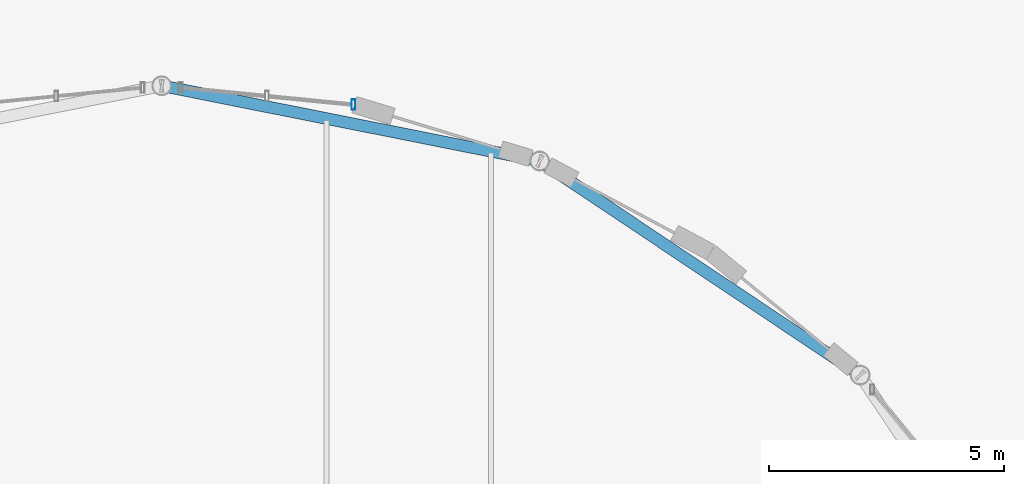
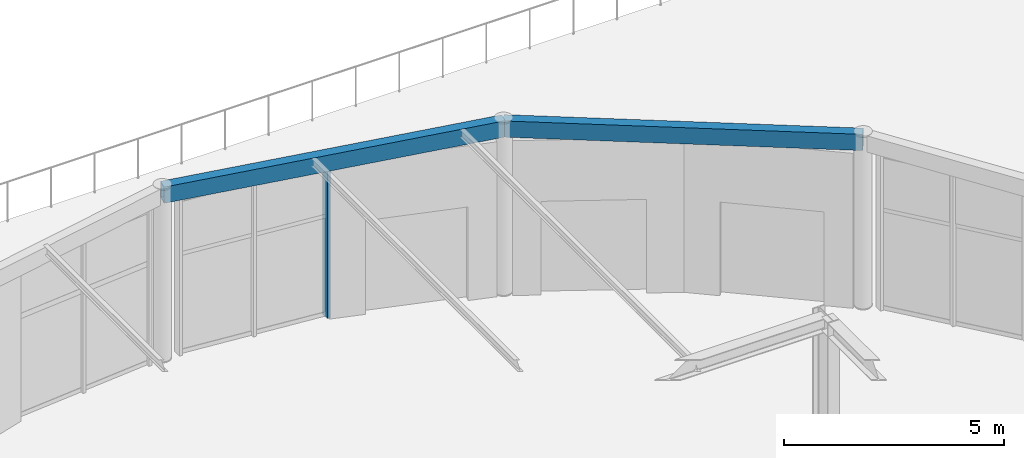
# One storey, part 70 of 143: 2 beams, 1 member, 1 element without a shape of its own.
"""IFC4 building model written with IfcOpenShell, lengths in metres."""

from ifc_helpers import new_model, si_unit, direction, frame, origin, origin_2d, place, context, subcontext, project, spatial, hollow_rectangle, extrude, material, layer, layer_set, material_profile, profile_set, type_object, element, aggregate, save


model = new_model("IFC4")

# Units and contexts
model_context = context("Model", 3, precision=1e-05, world=origin(), true_north=direction((0.0, 1.0)))
body_context = subcontext(model_context, "Body", "Model", "MODEL_VIEW")
ifc_project = project(units=[si_unit("LENGTHUNIT", "METRE"), si_unit("AREAUNIT", "SQUARE_METRE"), si_unit("VOLUMEUNIT", "CUBIC_METRE"), si_unit("PLANEANGLEUNIT", "RADIAN"), si_unit("MASSUNIT", "GRAM", prefix="KILO")], contexts=[model_context])

# Site, building, storey
site_placement = place(None, origin())
site = spatial("IfcSite", under=ifc_project, at=site_placement, CompositionType="ELEMENT")
building_placement = place(site_placement, origin())
building = spatial("IfcBuilding", under=site, at=building_placement, Name="Marlcrest Central Station", CompositionType="ELEMENT")
storey_placement = place(building_placement, frame((0.0, 0.0, 4.800048828125)))
storey = spatial("IfcBuildingStorey", under=building, at=storey_placement, Name="L01", CompositionType="ELEMENT", Elevation=4.800048828125)

# Curtain wall, member
ifc_material_1 = material(Name="Anodised aluminium and hurricane laminated glass", Category="aluminium")
ifc_layer = layer(ifc_material_1, 0.219970703125, Name="CW-U1")
ifc_layer_set = layer_set([ifc_layer], Name="Anodised aluminium and hurricane laminated glass")
curtain_wall_type = type_object("IfcCurtainWallType", Name="CW-U1", PredefinedType="USERDEFINED", material=ifc_layer_set)
curtain_wall_placement = place(storey_placement, origin())
curtain_wall = element("IfcCurtainWall", 1, at=curtain_wall_placement, inside=storey, type_object=curtain_wall_type, Name="cw-L01-0062", ObjectType="UNITISED_CURTAIN_WALL", PredefinedType="USERDEFINED")
ifc_material_2 = material(Name="Anodised aluminium 6063-T6", Category="aluminium")
ifc_material_profile_1 = material_profile(ifc_material_2, hollow_rectangle(XDim=0.080078125, YDim=0.219970703125, WallThickness=0.006103515625, at=origin_2d()), Name="AA-RHS 220x80x6")
ifc_profile_set_1 = profile_set([ifc_material_profile_1], Name="Anodised aluminium 6063-T6")
member_type = type_object("IfcMemberType", Name="ML-01", PredefinedType="MULLION", material=ifc_profile_set_1)
member_placement = place(storey_placement, frame((112.076416015625, 131.097900390625, -0.030029296875), z_axis=(0.0, 0.0, 1.0), x_axis=(1.0, 0.0, 0.0)))
member = element("IfcMember", 2, at=member_placement, type_object=member_type, Name="cw-L01-0062-ml-2", PredefinedType="MULLION", context=body_context, shape_type="SweptSolid", body=[
    extrude(hollow_rectangle(XDim=0.080078125, YDim=0.219970703125, WallThickness=0.006103515625, at=origin_2d()), origin(), (0.0, 0.0, 1.0), 4.35986328125),
])
aggregate(curtain_wall, [member])

# Beams
ifc_material_3 = material(Name="Steel S355", Category="steel")
ifc_material_profile_2 = material_profile(ifc_material_3, hollow_rectangle(XDim=0.25, YDim=0.449951171875, WallThickness=0.01611328125, at=origin_2d()), Name="RHS 450x250x16")
ifc_profile_set_2 = profile_set([ifc_material_profile_2], Name="Steel S355")
beam_type = type_object("IfcBeamType", Name="SP-02", PredefinedType="SPANDREL", material=ifc_profile_set_2)
beam_1_placement = place(storey_placement, frame((108.0, 131.5, 4.58984375), z_axis=(0.980769316421, -0.19517056122, 0.0), x_axis=(0.19517056122, 0.980769316421, 0.0)))
element("IfcBeam", 3, at=beam_1_placement, inside=storey, type_object=beam_type, Name="bm-SP-02-L01-01462", PredefinedType="SPANDREL", context=body_context, shape_type="SweptSolid", body=[
    extrude(hollow_rectangle(XDim=0.25, YDim=0.449951171875, WallThickness=0.01611328125, at=origin_2d()), origin(), (0.0, 0.0, 1.0), 8.193359375),
])
beam_2_placement = place(storey_placement, frame((116.035888671875, 129.90087890625, 4.58984375), z_axis=(0.831508991937, -0.55551129271, 0.0), x_axis=(0.55551129271, 0.831508991937, 0.0)))
element("IfcBeam", 4, at=beam_2_placement, inside=storey, type_object=beam_type, Name="bm-SP-02-L01-01463", PredefinedType="SPANDREL", context=body_context, shape_type="SweptSolid", body=[
    extrude(hollow_rectangle(XDim=0.25, YDim=0.449951171875, WallThickness=0.01611328125, at=origin_2d()), origin(), (0.0, 0.0, 1.0), 8.19384765625),
])

save(model, "model.ifc")
